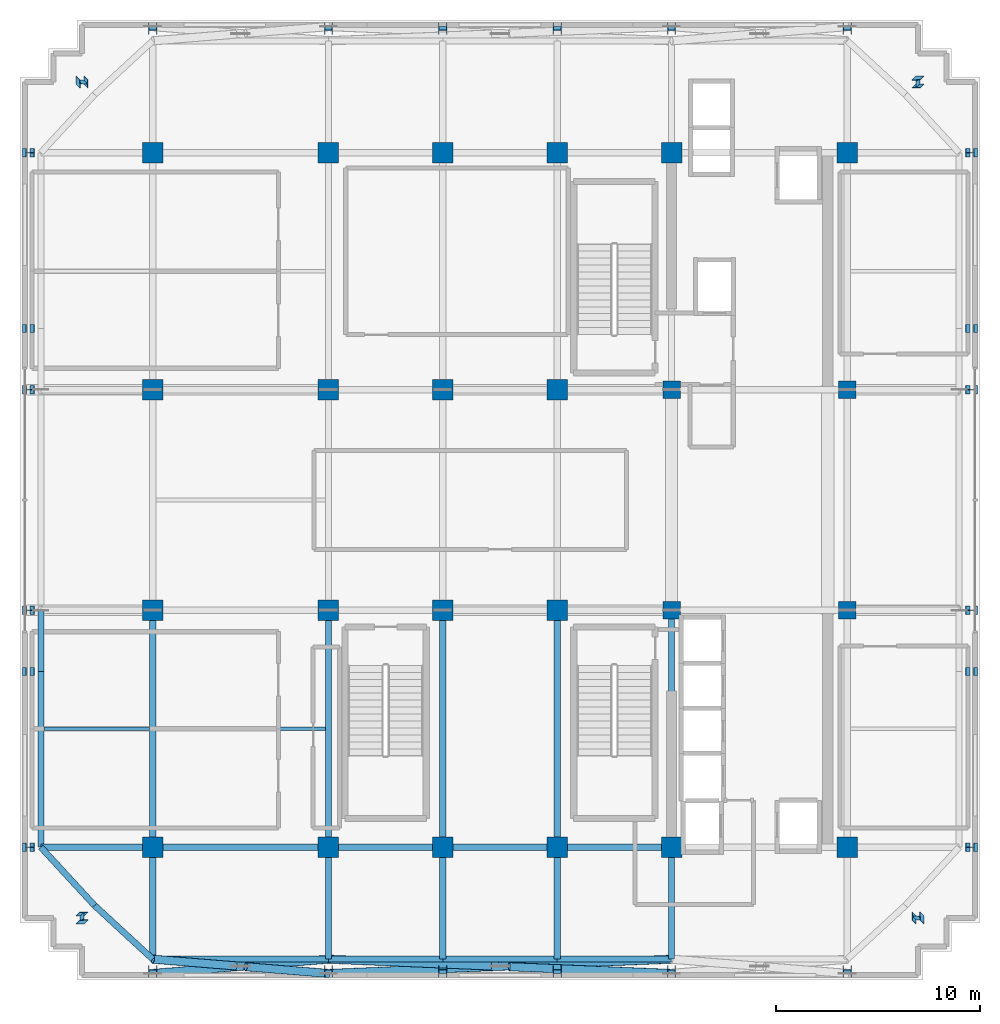
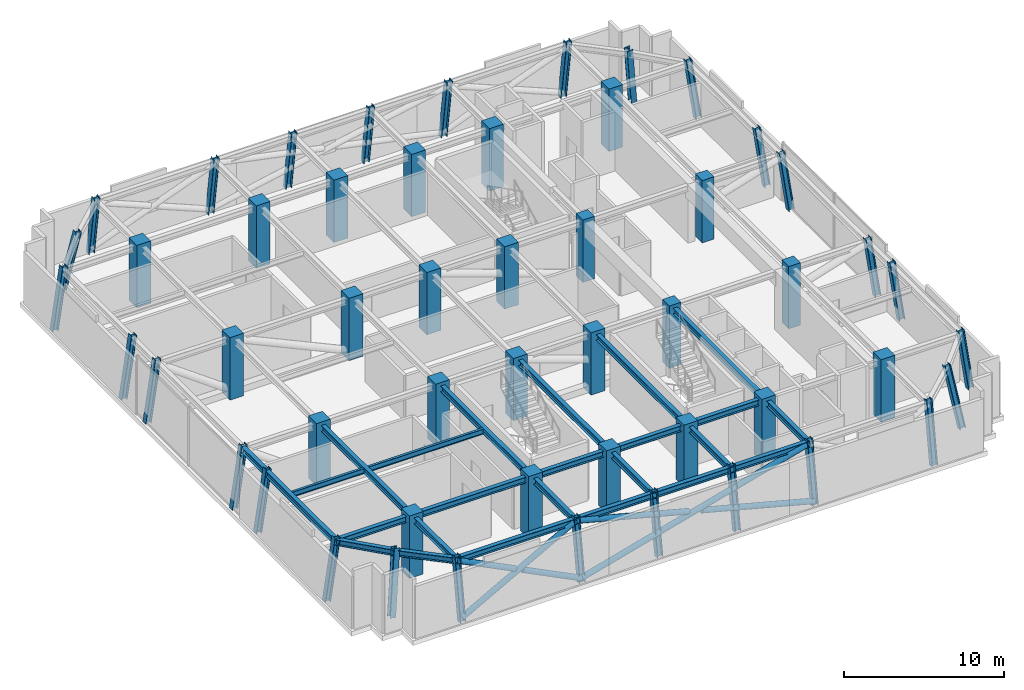
# One storey, part 1 of 15: 52 columns, 25 beams, 6 members.
"""IFC4 building model written with IfcOpenShell, lengths in metres."""

from ifc_helpers import new_model, si_unit, direction, frame, origin, origin_2d, place, context, subcontext, project, spatial, rectangle, hollow_circle, i_section, extrude, source, transform, mapped, material, material_profile, profile_set, type_object, element, save


model = new_model("IFC4")

# Units and contexts
model_context = context("Model", 3, precision=1e-05, world=origin(), true_north=direction((0.0, 1.0)))
body_context = subcontext(model_context, "Body", "Model", "MODEL_VIEW")
ifc_project = project(units=[si_unit("LENGTHUNIT", "METRE"), si_unit("AREAUNIT", "SQUARE_METRE"), si_unit("VOLUMEUNIT", "CUBIC_METRE"), si_unit("PLANEANGLEUNIT", "RADIAN"), si_unit("MASSUNIT", "GRAM", prefix="KILO")], contexts=[model_context])

# Site, building, storey
site_placement = place(None, origin())
site = spatial("IfcSite", under=ifc_project, at=site_placement, CompositionType="ELEMENT")
building_placement = place(site_placement, origin())
building = spatial("IfcBuilding", under=site, at=building_placement, Name="Nahalor Promenade Grand Hotel", CompositionType="ELEMENT")
storey_placement = place(building_placement, frame((0.0, 0.0, 261.5)))
storey = spatial("IfcBuildingStorey", under=building, at=storey_placement, Name="L67", CompositionType="ELEMENT", Elevation=261.5)

# Columns
ifc_material_1 = material(Name="Concrete B-70 (C60/75)", Category="concrete")
ifc_material_profile_1 = material_profile(ifc_material_1, rectangle(XDim=0.85, YDim=0.85, at=origin_2d()), Name="RC 850x850")
ifc_profile_set_1 = profile_set([ifc_material_profile_1], Name="Concrete B-70 (C60/75)")
column_type_1 = type_object("IfcColumnType", Name="Col-Pilaster-850", PredefinedType="PILASTER", material=ifc_profile_set_1)
shared_shape_1 = source(origin(), body_context, "Body", "SweptSolid", [
    extrude(rectangle(XDim=0.85, YDim=0.85, at=origin_2d()), origin(), (0.0, 0.0, 1.0), 4.7548828125),
])
for number, where, z_axis, x_axis, name in (
    (1, (8.39990234375, -5.39990234375, 0.0), (0.0, 0.0, 1.0), (1.0, 0.0, 0.0), "COL-L67-I41"),
    (2, (8.39990234375, 5.39990234375, 0.0), (0.0, 0.0, 1.0), (1.0, 0.0, 0.0), "COL-L67-I42"),
    (3, (17.0, -5.39990234375, 0.0), (0.0, 0.0, 1.0), (1.0, 0.0, 0.0), "COL-L67-I51"),
    (4, (17.0, 5.39990234375, 0.0), (0.0, 0.0, 1.0), (1.0, 0.0, 0.0), "COL-L67-I52"),
):
    element("IfcColumn", number, at=place(storey_placement, frame(where, z_axis=z_axis, x_axis=x_axis)), inside=storey, type_object=column_type_1, Name=name, PredefinedType="PILASTER", context=body_context, shape_type="MappedRepresentation", body=[
        mapped(shared_shape_1, transform((0.0, 0.0, 0.0), scale=1.0)),
    ])
ifc_material_2 = material(Name="Steel S355JR", Category="steel")
ifc_material_profile_2 = material_profile(ifc_material_2, i_section(OverallWidth=0.401, OverallDepth=0.406, WebThickness=0.0161, FlangeThickness=0.025, at=origin_2d()), Name="HD 400x314")
ifc_profile_set_2 = profile_set([ifc_material_profile_2], Name="Steel S355JR")
column_type_2 = type_object("IfcColumnType", Name="Col-Steel-HD314", PredefinedType="COLUMN", material=ifc_profile_set_2)
shared_shape_2 = source(origin(), body_context, "Body", "SweptSolid", [
    extrude(i_section(OverallWidth=0.401, OverallDepth=0.406, WebThickness=0.0161, FlangeThickness=0.025, at=origin_2d()), origin(), (0.0, 0.0, 1.0), 4.707275390625),
])
for number, where, z_axis, x_axis, name in (
    (5, (-23.179931640625, -17.0, 0.0), (0.148692963872, 0.0, 0.988883411983), (0.0, 1.0, 0.0), "COL-L67-PW-W0"),
    (6, (23.179931640625, -17.0, 0.0), (-0.148692963872, 0.0, 0.988883411983), (0.0, -1.0, 0.0), "COL-L67-PW-E0"),
    (7, (-23.179931640625, -8.39990234375, 0.0), (0.148692963872, 0.0, 0.988883411983), (0.0, 1.0, 0.0), "COL-L67-PW-W1"),
    (8, (23.179931640625, -8.39990234375, 0.0), (-0.148692963872, 0.0, 0.988883411983), (0.0, -1.0, 0.0), "COL-L67-PW-E1"),
    (9, (-23.179931640625, -5.39990234375, 0.0), (0.148692963872, 0.0, 0.988883411983), (0.0, 1.0, 0.0), "COL-L67-PW-W2"),
    (10, (23.179931640625, -5.39990234375, 0.0), (-0.148692963872, 0.0, 0.988883411983), (0.0, -1.0, 0.0), "COL-L67-PW-E2"),
    (11, (-23.179931640625, 5.39990234375, 0.0), (0.148692963872, 0.0, 0.988883411983), (0.0, 1.0, 0.0), "COL-L67-PW-W3"),
    (12, (23.179931640625, 5.39990234375, 0.0), (-0.148692963872, 0.0, 0.988883411983), (0.0, -1.0, 0.0), "COL-L67-PW-E3"),
    (13, (-23.179931640625, 8.39990234375, 0.0), (0.148692963872, 0.0, 0.988883411983), (0.0, 1.0, 0.0), "COL-L67-PW-W4"),
    (14, (23.179931640625, 8.39990234375, 0.0), (-0.148692963872, 0.0, 0.988883411983), (0.0, -1.0, 0.0), "COL-L67-PW-E4"),
    (15, (-23.179931640625, 17.0, 0.0), (0.148692963872, 0.0, 0.988883411983), (0.0, 1.0, 0.0), "COL-L67-PW-W5"),
    (16, (23.179931640625, 17.0, 0.0), (-0.148692963872, 0.0, 0.988883411983), (0.0, -1.0, 0.0), "COL-L67-PW-E5"),
    (17, (-17.0, -23.179931640625, 0.0), (0.0, 0.148692963872, 0.988883411983), (0.0, -0.988883411983, 0.148692963872), "COL-L67-PN-S0"),
    (18, (-17.0, 23.179931640625, 0.0), (0.0, -0.148692963872, 0.988883411983), (0.0, 0.988883411983, 0.148692963872), "COL-L67-PN-N0"),
    (19, (-8.39990234375, -23.179931640625, 0.0), (0.0, 0.148692963872, 0.988883411983), (0.0, -0.988883411983, 0.148692963872), "COL-L67-PN-S1"),
    (20, (-8.39990234375, 23.179931640625, 0.0), (0.0, -0.148692963872, 0.988883411983), (0.0, 0.988883411983, 0.148692963872), "COL-L67-PN-N1"),
    (21, (-2.800048828125, -23.179931640625, 0.0), (0.0, 0.148692963872, 0.988883411983), (0.0, -0.988883411983, 0.148692963872), "COL-L67-PN-S2"),
    (22, (-2.800048828125, 23.179931640625, 0.0), (0.0, -0.148692963872, 0.988883411983), (0.0, 0.988883411983, 0.148692963872), "COL-L67-PN-N2"),
    (23, (2.800048828125, -23.179931640625, 0.0), (0.0, 0.148692963872, 0.988883411983), (0.0, -0.988883411983, 0.148692963872), "COL-L67-PN-S3"),
    (24, (2.800048828125, 23.179931640625, 0.0), (0.0, -0.148692963872, 0.988883411983), (0.0, 0.988883411983, 0.148692963872), "COL-L67-PN-N3"),
    (25, (8.39990234375, -23.179931640625, 0.0), (0.0, 0.148692963872, 0.988883411983), (0.0, -0.988883411983, 0.148692963872), "COL-L67-PN-S4"),
    (26, (8.39990234375, 23.179931640625, 0.0), (0.0, -0.148692963872, 0.988883411983), (0.0, 0.988883411983, 0.148692963872), "COL-L67-PN-N4"),
    (27, (17.0, -23.179931640625, 0.0), (0.0, 0.148692963872, 0.988883411983), (0.0, -0.988883411983, 0.148692963872), "COL-L67-PN-S5"),
    (28, (17.0, 23.179931640625, 0.0), (0.0, -0.148692963872, 0.988883411983), (0.0, 0.988883411983, 0.148692963872), "COL-L67-PN-N5"),
):
    element("IfcColumn", number, at=place(storey_placement, frame(where, z_axis=z_axis, x_axis=x_axis)), inside=storey, type_object=column_type_2, Name=name, PredefinedType="COLUMN", context=body_context, shape_type="MappedRepresentation", body=[
        mapped(shared_shape_2, transform((0.0, 0.0, 0.0), scale=1.0)),
    ])
shared_shape_3 = source(origin(), body_context, "Body", "SweptSolid", [
    extrude(i_section(OverallWidth=0.401, OverallDepth=0.406, WebThickness=0.0161, FlangeThickness=0.025, at=origin_2d()), origin(), (0.0, 0.0, 1.0), 4.759033203125),
])
for number, where, z_axis, x_axis, name in (
    (29, (-20.550048828125, -20.550048828125, 0.0), (0.147075957733, 0.147075957733, 0.978129503345), (-0.989064751673, 0.010935248327, 0.147075957733), "COL-L67-CRN-SW"),
    (30, (-20.550048828125, 20.550048828125, 0.0), (0.147075957733, -0.147075957733, 0.978129503345), (0.010935248327, 0.989064751673, 0.147075957733), "COL-L67-CRN-NW"),
    (31, (20.550048828125, -20.550048828125, 0.0), (-0.147075957733, 0.147075957733, 0.978129503345), (-0.010935248327, -0.989064751673, 0.147075957733), "COL-L67-CRN-SE"),
    (32, (20.550048828125, 20.550048828125, 0.0), (-0.147075957733, -0.147075957733, 0.978129503345), (0.989064751673, -0.010935248327, 0.147075957733), "COL-L67-CRN-NE"),
):
    element("IfcColumn", number, at=place(storey_placement, frame(where, z_axis=z_axis, x_axis=x_axis)), inside=storey, type_object=column_type_2, Name=name, PredefinedType="COLUMN", context=body_context, shape_type="MappedRepresentation", body=[
        mapped(shared_shape_3, transform((0.0, 0.0, 0.0), scale=1.0)),
    ])
ifc_material_3 = material(Name="Concrete B-60 (C50/60)", Category="concrete")
ifc_material_profile_3 = material_profile(ifc_material_3, rectangle(XDim=1.0, YDim=1.0, at=origin_2d()), Name="RC 1000x1000")
ifc_profile_set_3 = profile_set([ifc_material_profile_3], Name="Concrete B-60 (C50/60)")
column_type_3 = type_object("IfcColumnType", Name="Col-RC-1000", PredefinedType="COLUMN", material=ifc_profile_set_3)
shared_shape_4 = source(origin(), body_context, "Body", "SweptSolid", [
    extrude(rectangle(XDim=1.0, YDim=1.0, at=origin_2d()), origin(), (0.0, 0.0, 1.0), 4.7548828125),
])
for number, where, z_axis, x_axis, name in (
    (33, (-17.0, -17.0, 0.0), (0.0, 0.0, 1.0), (1.0, 0.0, 0.0), "COL-L67-I00"),
    (34, (-17.0, -5.39990234375, 0.0), (0.0, 0.0, 1.0), (1.0, 0.0, 0.0), "COL-L67-I01"),
    (35, (-17.0, 5.39990234375, 0.0), (0.0, 0.0, 1.0), (1.0, 0.0, 0.0), "COL-L67-I02"),
    (36, (-17.0, 17.0, 0.0), (0.0, 0.0, 1.0), (1.0, 0.0, 0.0), "COL-L67-I03"),
    (37, (-8.39990234375, -17.0, 0.0), (0.0, 0.0, 1.0), (1.0, 0.0, 0.0), "COL-L67-I10"),
    (38, (-8.39990234375, -5.39990234375, 0.0), (0.0, 0.0, 1.0), (1.0, 0.0, 0.0), "COL-L67-I11"),
    (39, (-8.39990234375, 5.39990234375, 0.0), (0.0, 0.0, 1.0), (1.0, 0.0, 0.0), "COL-L67-I12"),
    (40, (-8.39990234375, 17.0, 0.0), (0.0, 0.0, 1.0), (1.0, 0.0, 0.0), "COL-L67-I13"),
    (41, (-2.800048828125, -17.0, 0.0), (0.0, 0.0, 1.0), (1.0, 0.0, 0.0), "COL-L67-I20"),
    (42, (-2.800048828125, -5.39990234375, 0.0), (0.0, 0.0, 1.0), (1.0, 0.0, 0.0), "COL-L67-I21"),
    (43, (-2.800048828125, 5.39990234375, 0.0), (0.0, 0.0, 1.0), (1.0, 0.0, 0.0), "COL-L67-I22"),
    (44, (-2.800048828125, 17.0, 0.0), (0.0, 0.0, 1.0), (1.0, 0.0, 0.0), "COL-L67-I23"),
    (45, (2.800048828125, -17.0, 0.0), (0.0, 0.0, 1.0), (1.0, 0.0, 0.0), "COL-L67-I30"),
    (46, (2.800048828125, -5.39990234375, 0.0), (0.0, 0.0, 1.0), (1.0, 0.0, 0.0), "COL-L67-I31"),
    (47, (2.800048828125, 5.39990234375, 0.0), (0.0, 0.0, 1.0), (1.0, 0.0, 0.0), "COL-L67-I32"),
    (48, (2.800048828125, 17.0, 0.0), (0.0, 0.0, 1.0), (1.0, 0.0, 0.0), "COL-L67-I33"),
    (49, (8.39990234375, -17.0, 0.0), (0.0, 0.0, 1.0), (1.0, 0.0, 0.0), "COL-L67-I40"),
    (50, (8.39990234375, 17.0, 0.0), (0.0, 0.0, 1.0), (1.0, 0.0, 0.0), "COL-L67-I43"),
    (51, (17.0, -17.0, 0.0), (0.0, 0.0, 1.0), (1.0, 0.0, 0.0), "COL-L67-I50"),
    (52, (17.0, 17.0, 0.0), (0.0, 0.0, 1.0), (1.0, 0.0, 0.0), "COL-L67-I53"),
):
    element("IfcColumn", number, at=place(storey_placement, frame(where, z_axis=z_axis, x_axis=x_axis)), inside=storey, type_object=column_type_3, Name=name, PredefinedType="COLUMN", context=body_context, shape_type="MappedRepresentation", body=[
        mapped(shared_shape_4, transform((0.0, 0.0, 0.0), scale=1.0)),
    ])

# Beams
ifc_material_profile_4 = material_profile(ifc_material_2, i_section(OverallWidth=0.3, OverallDepth=0.45, WebThickness=0.014, FlangeThickness=0.026, at=origin_2d()), Name="HEB 450")
ifc_profile_set_4 = profile_set([ifc_material_profile_4], Name="Steel S355JR")
beam_type_1 = type_object("IfcBeamType", Name="Beam-Spandrel-HEB450", PredefinedType="SPANDREL", material=ifc_profile_set_4)
shared_shape_5 = source(origin(), body_context, "Body", "SweptSolid", [
    extrude(i_section(OverallWidth=0.3, OverallDepth=0.45, WebThickness=0.014, FlangeThickness=0.026, at=origin_2d()), origin(), (0.0, 0.0, 1.0), 8.60009765625),
])
for number, where, z_axis, x_axis, name in (
    (53, (-17.0, -22.47998046875, 4.27490234375), (1.0, 0.0, 0.0), (0.0, 1.0, 0.0), "BM-L67-SP-S-0"),
    (54, (-22.47998046875, -17.0, 4.27490234375), (0.0, 1.0, 0.0), (-1.0, 0.0, 0.0), "BM-L67-SP-W-0"),
):
    element("IfcBeam", number, at=place(storey_placement, frame(where, z_axis=z_axis, x_axis=x_axis)), inside=storey, type_object=beam_type_1, Name=name, PredefinedType="SPANDREL", context=body_context, shape_type="MappedRepresentation", body=[
        mapped(shared_shape_5, transform((0.0, 0.0, 0.0), scale=1.0)),
    ])
shared_shape_6 = source(origin(), body_context, "Body", "SweptSolid", [
    extrude(i_section(OverallWidth=0.3, OverallDepth=0.45, WebThickness=0.014, FlangeThickness=0.026, at=origin_2d()), origin(), (0.0, 0.0, 1.0), 5.599853515625),
])
for number, where, z_axis, x_axis, name in (
    (55, (-8.39990234375, -22.47998046875, 4.27490234375), (1.0, 0.0, 0.0), (0.0, 1.0, 0.0), "BM-L67-SP-S-1"),
    (56, (2.800048828125, -22.47998046875, 4.27490234375), (1.0, 0.0, 0.0), (0.0, 1.0, 0.0), "BM-L67-SP-S-3"),
):
    element("IfcBeam", number, at=place(storey_placement, frame(where, z_axis=z_axis, x_axis=x_axis)), inside=storey, type_object=beam_type_1, Name=name, PredefinedType="SPANDREL", context=body_context, shape_type="MappedRepresentation", body=[
        mapped(shared_shape_6, transform((0.0, 0.0, 0.0), scale=1.0)),
    ])
shared_shape_7 = source(origin(), body_context, "Body", "SweptSolid", [
    extrude(i_section(OverallWidth=0.3, OverallDepth=0.45, WebThickness=0.014, FlangeThickness=0.026, at=origin_2d()), origin(), (0.0, 0.0, 1.0), 5.60009765625),
])
beam_1_placement = place(storey_placement, frame((-2.800048828125, -22.47998046875, 4.27490234375), z_axis=(1.0, 0.0, 0.0), x_axis=(0.0, 1.0, 0.0)))
element("IfcBeam", 57, at=beam_1_placement, inside=storey, type_object=beam_type_1, Name="BM-L67-SP-S-2", PredefinedType="SPANDREL", context=body_context, shape_type="MappedRepresentation", body=[
    mapped(shared_shape_7, transform((0.0, 0.0, 0.0), scale=1.0)),
])
shared_shape_8 = source(origin(), body_context, "Body", "SweptSolid", [
    extrude(i_section(OverallWidth=0.3, OverallDepth=0.45, WebThickness=0.014, FlangeThickness=0.026, at=origin_2d()), origin(), (0.0, 0.0, 1.0), 3.0),
])
beam_2_placement = place(storey_placement, frame((-22.47998046875, -8.39990234375, 4.27490234375), z_axis=(0.0, 1.0, 0.0), x_axis=(-1.0, 0.0, 0.0)))
element("IfcBeam", 58, at=beam_2_placement, inside=storey, type_object=beam_type_1, Name="BM-L67-SP-W-1", PredefinedType="SPANDREL", context=body_context, shape_type="MappedRepresentation", body=[
    mapped(shared_shape_8, transform((0.0, 0.0, 0.0), scale=1.0)),
])
shared_shape_9 = source(origin(), body_context, "Body", "SweptSolid", [
    extrude(i_section(OverallWidth=0.3, OverallDepth=0.45, WebThickness=0.014, FlangeThickness=0.026, at=origin_2d()), origin(), (0.0, 0.0, 1.0), 3.878173828125),
])
for number, where, z_axis, x_axis, name in (
    (59, (-17.0, -22.47998046875, 4.27490234375), (-0.73492893846, 0.678144125843, 0.0), (-0.678144125843, -0.73492893846, 0.0), "BM-L67-SPC-SW-1"),
    (60, (-19.85009765625, -19.85009765625, 4.27490234375), (-0.678144125843, 0.73492893846, 0.0), (-0.73492893846, -0.678144125843, 0.0), "BM-L67-SPC-SW-2"),
):
    element("IfcBeam", number, at=place(storey_placement, frame(where, z_axis=z_axis, x_axis=x_axis)), inside=storey, type_object=beam_type_1, Name=name, PredefinedType="SPANDREL", context=body_context, shape_type="MappedRepresentation", body=[
        mapped(shared_shape_9, transform((0.0, 0.0, 0.0), scale=1.0)),
    ])
ifc_material_profile_5 = material_profile(ifc_material_2, i_section(OverallWidth=0.3, OverallDepth=0.45, WebThickness=0.014, FlangeThickness=0.026, at=origin_2d()), Name="HEB 450")
ifc_profile_set_5 = profile_set([ifc_material_profile_5], Name="Steel S355JR")
beam_type_2 = type_object("IfcBeamType", Name="Beam-Girder-HEB450", PredefinedType="BEAM", material=ifc_profile_set_5)
shared_shape_10 = source(origin(), body_context, "Body", "SweptSolid", [
    extrude(i_section(OverallWidth=0.3, OverallDepth=0.45, WebThickness=0.014, FlangeThickness=0.026, at=origin_2d()), origin(), (0.0, 0.0, 1.0), 8.60009765625),
])
beam_3_placement = place(storey_placement, frame((-17.0, -17.0, 4.27490234375), z_axis=(1.0, 0.0, 0.0), x_axis=(0.0, 1.0, 0.0)))
element("IfcBeam", 61, at=beam_3_placement, inside=storey, type_object=beam_type_2, Name="BM-L67-GX-0-1", PredefinedType="BEAM", context=body_context, shape_type="MappedRepresentation", body=[
    mapped(shared_shape_10, transform((0.0, 0.0, 0.0), scale=1.0)),
])
shared_shape_11 = source(origin(), body_context, "Body", "SweptSolid", [
    extrude(i_section(OverallWidth=0.3, OverallDepth=0.45, WebThickness=0.014, FlangeThickness=0.026, at=origin_2d()), origin(), (0.0, 0.0, 1.0), 5.599853515625),
])
for number, where, z_axis, x_axis, name in (
    (62, (-8.39990234375, -17.0, 4.27490234375), (1.0, 0.0, 0.0), (0.0, 1.0, 0.0), "BM-L67-GX-0-2"),
    (63, (2.800048828125, -17.0, 4.27490234375), (1.0, 0.0, 0.0), (0.0, 1.0, 0.0), "BM-L67-GX-0-4"),
):
    element("IfcBeam", number, at=place(storey_placement, frame(where, z_axis=z_axis, x_axis=x_axis)), inside=storey, type_object=beam_type_2, Name=name, PredefinedType="BEAM", context=body_context, shape_type="MappedRepresentation", body=[
        mapped(shared_shape_11, transform((0.0, 0.0, 0.0), scale=1.0)),
    ])
shared_shape_12 = source(origin(), body_context, "Body", "SweptSolid", [
    extrude(i_section(OverallWidth=0.3, OverallDepth=0.45, WebThickness=0.014, FlangeThickness=0.026, at=origin_2d()), origin(), (0.0, 0.0, 1.0), 5.60009765625),
])
beam_4_placement = place(storey_placement, frame((-2.800048828125, -17.0, 4.27490234375), z_axis=(1.0, 0.0, 0.0), x_axis=(0.0, 1.0, 0.0)))
element("IfcBeam", 64, at=beam_4_placement, inside=storey, type_object=beam_type_2, Name="BM-L67-GX-0-3", PredefinedType="BEAM", context=body_context, shape_type="MappedRepresentation", body=[
    mapped(shared_shape_12, transform((0.0, 0.0, 0.0), scale=1.0)),
])
shared_shape_13 = source(origin(), body_context, "Body", "SweptSolid", [
    extrude(i_section(OverallWidth=0.3, OverallDepth=0.45, WebThickness=0.014, FlangeThickness=0.026, at=origin_2d()), origin(), (0.0, 0.0, 1.0), 11.60009765625),
])
for number, where, z_axis, x_axis, name in (
    (65, (-17.0, -17.0, 4.27490234375), (0.0, 1.0, 0.0), (-1.0, 0.0, 0.0), "BM-L67-GY-0-1"),
    (66, (-8.39990234375, -17.0, 4.27490234375), (0.0, 1.0, 0.0), (-1.0, 0.0, 0.0), "BM-L67-GY-1-1"),
    (67, (-2.800048828125, -17.0, 4.27490234375), (0.0, 1.0, 0.0), (-1.0, 0.0, 0.0), "BM-L67-GY-2-1"),
    (68, (2.800048828125, -17.0, 4.27490234375), (0.0, 1.0, 0.0), (-1.0, 0.0, 0.0), "BM-L67-GY-3-1"),
    (69, (8.39990234375, -17.0, 4.27490234375), (0.0, 1.0, 0.0), (-1.0, 0.0, 0.0), "BM-L67-GY-4-1"),
):
    element("IfcBeam", number, at=place(storey_placement, frame(where, z_axis=z_axis, x_axis=x_axis)), inside=storey, type_object=beam_type_2, Name=name, PredefinedType="BEAM", context=body_context, shape_type="MappedRepresentation", body=[
        mapped(shared_shape_13, transform((0.0, 0.0, 0.0), scale=1.0)),
    ])
ifc_material_profile_6 = material_profile(ifc_material_2, i_section(OverallWidth=0.18, OverallDepth=0.4, WebThickness=0.0086, FlangeThickness=0.0135, at=origin_2d()), Name="IPE 400")
ifc_profile_set_6 = profile_set([ifc_material_profile_6], Name="Steel S355JR")
beam_type_3 = type_object("IfcBeamType", Name="Beam-Joist-IPE400", PredefinedType="JOIST", material=ifc_profile_set_6)
shared_shape_14 = source(origin(), body_context, "Body", "SweptSolid", [
    extrude(i_section(OverallWidth=0.18, OverallDepth=0.4, WebThickness=0.0086, FlangeThickness=0.0135, at=origin_2d()), origin(), (0.0, 0.0, 1.0), 8.300048828125),
])
beam_5_placement = place(storey_placement, frame((-16.85009765625, -11.199951171875, 4.300048828125), z_axis=(1.0, 0.0, 0.0), x_axis=(0.0, 1.0, 0.0)))
element("IfcBeam", 70, at=beam_5_placement, inside=storey, type_object=beam_type_3, Name="BM-L67-JSW-0-1", PredefinedType="JOIST", context=body_context, shape_type="MappedRepresentation", body=[
    mapped(shared_shape_14, transform((0.0, 0.0, 0.0), scale=1.0)),
])
shared_shape_15 = source(origin(), body_context, "Body", "SweptSolid", [
    extrude(i_section(OverallWidth=0.3, OverallDepth=0.45, WebThickness=0.014, FlangeThickness=0.026, at=origin_2d()), origin(), (0.0, 0.0, 1.0), 5.47998046875),
])
for number, where, z_axis, x_axis, name in (
    (71, (-22.47998046875, -17.0, 4.27490234375), (1.0, 0.0, 0.0), (0.0, 1.0, 0.0), "BM-L67-GX-0-0"),
    (72, (-17.0, -22.47998046875, 4.27490234375), (0.0, 1.0, 0.0), (-1.0, 0.0, 0.0), "BM-L67-GY-0-0"),
    (73, (-8.39990234375, -22.47998046875, 4.27490234375), (0.0, 1.0, 0.0), (-1.0, 0.0, 0.0), "BM-L67-GY-1-0"),
    (74, (-2.800048828125, -22.47998046875, 4.27490234375), (0.0, 1.0, 0.0), (-1.0, 0.0, 0.0), "BM-L67-GY-2-0"),
    (75, (2.800048828125, -22.47998046875, 4.27490234375), (0.0, 1.0, 0.0), (-1.0, 0.0, 0.0), "BM-L67-GY-3-0"),
    (76, (8.39990234375, -22.47998046875, 4.27490234375), (0.0, 1.0, 0.0), (-1.0, 0.0, 0.0), "BM-L67-GY-4-0"),
):
    element("IfcBeam", number, at=place(storey_placement, frame(where, z_axis=z_axis, x_axis=x_axis)), inside=storey, type_object=beam_type_2, Name=name, PredefinedType="BEAM", context=body_context, shape_type="MappedRepresentation", body=[
        mapped(shared_shape_15, transform((0.0, 0.0, 0.0), scale=1.0)),
    ])
shared_shape_16 = source(origin(), body_context, "Body", "SweptSolid", [
    extrude(i_section(OverallWidth=0.18, OverallDepth=0.4, WebThickness=0.0086, FlangeThickness=0.0135, at=origin_2d()), origin(), (0.0, 0.0, 1.0), 5.18017578125),
])
beam_6_placement = place(storey_placement, frame((-22.330078125, -11.199951171875, 4.300048828125), z_axis=(1.0, 0.0, 0.0), x_axis=(0.0, 1.0, 0.0)))
element("IfcBeam", 77, at=beam_6_placement, inside=storey, type_object=beam_type_3, Name="BM-L67-JSW-0-0", PredefinedType="JOIST", context=body_context, shape_type="MappedRepresentation", body=[
    mapped(shared_shape_16, transform((0.0, 0.0, 0.0), scale=1.0)),
])

# Members
ifc_material_4 = material(Name="Steel S355J2", Category="steel")
ifc_material_profile_7 = material_profile(ifc_material_4, hollow_circle(Radius=0.2032, WallThickness=0.02, at=origin_2d()), Name="CHS 406.4x20")
ifc_profile_set_7 = profile_set([ifc_material_profile_7], Name="Steel S355J2")
member_type = type_object("IfcMemberType", Name="Mem-BeltDiag-CHS406", PredefinedType="BRACE", material=ifc_profile_set_7)
shared_shape_17 = source(origin(), body_context, "Body", "SweptSolid", [
    extrude(hollow_circle(Radius=0.2032, WallThickness=0.02, at=origin_2d()), origin(), (0.0, 0.0, 1.0), 9.48974609375),
])
member_1_placement = place(storey_placement, frame((-17.0, -23.179931640625, 0.300048828125), z_axis=(0.906259433855, 0.073759319731, 0.41623719356), x_axis=(-0.081120514078, 0.99670430028, 0.0)))
element("IfcMember", 78, at=member_1_placement, inside=storey, type_object=member_type, Name="BT-L67-S-D1-0", PredefinedType="BRACE", context=body_context, shape_type="MappedRepresentation", body=[
    mapped(shared_shape_17, transform((0.0, 0.0, 0.0), scale=1.0)),
])
shared_shape_18 = source(origin(), body_context, "Body", "SweptSolid", [
    extrude(hollow_circle(Radius=0.2032, WallThickness=0.02, at=origin_2d()), origin(), (0.0, 0.0, 1.0), 4.466552734375),
])
for number, where, z_axis, x_axis, name in (
    (79, (-8.39990234375, -23.179931640625, 0.300048828125), (-0.906262059154, 0.073736279722, 0.416235559738), (-0.081095107965, -0.996706367725, 0.0), "BT-L67-S-D2-0A"),
    (80, (-12.9521484375, -22.8095703125, 2.390869140625), (-0.906258405204, 0.073790642161, 0.416233881522), (-0.081154827167, -0.996701506986, 0.0), "BT-L67-S-D2-0B"),
):
    element("IfcMember", number, at=place(storey_placement, frame(where, z_axis=z_axis, x_axis=x_axis)), inside=storey, type_object=member_type, Name=name, PredefinedType="BRACE", context=body_context, shape_type="MappedRepresentation", body=[
        mapped(shared_shape_18, transform((0.0, 0.0, 0.0), scale=1.0)),
    ])
shared_shape_19 = source(origin(), body_context, "Body", "SweptSolid", [
    extrude(hollow_circle(Radius=0.2032, WallThickness=0.02, at=origin_2d()), origin(), (0.0, 0.0, 1.0), 17.272216796875),
])
member_2_placement = place(storey_placement, frame((-8.39990234375, -23.179931640625, 0.300048828125), z_axis=(0.972655520728, 0.040524957535, 0.228689671421), x_axis=(-0.041628128947, 0.999133173746, 0.0)))
element("IfcMember", 81, at=member_2_placement, inside=storey, type_object=member_type, Name="BT-L67-S-D1-1", PredefinedType="BRACE", context=body_context, shape_type="MappedRepresentation", body=[
    mapped(shared_shape_19, transform((0.0, 0.0, 0.0), scale=1.0)),
])
shared_shape_20 = source(origin(), body_context, "Body", "SweptSolid", [
    extrude(hollow_circle(Radius=0.2032, WallThickness=0.02, at=origin_2d()), origin(), (0.0, 0.0, 1.0), 8.172607421875),
])
for number, where, z_axis, x_axis, name in (
    (82, (8.39990234375, -23.179931640625, 0.300048828125), (-0.972659339385, 0.040507557254, 0.228676512377), (-0.041610122871, -0.999133923793, 0.0), "BT-L67-S-D2-1A"),
    (83, (-0.45068359375, -22.811279296875, 2.381103515625), (-0.972658161962, 0.040537381013, 0.22867623556), (-0.041640755613, -0.999132647586, 0.0), "BT-L67-S-D2-1B"),
):
    element("IfcMember", number, at=place(storey_placement, frame(where, z_axis=z_axis, x_axis=x_axis)), inside=storey, type_object=member_type, Name=name, PredefinedType="BRACE", context=body_context, shape_type="MappedRepresentation", body=[
        mapped(shared_shape_20, transform((0.0, 0.0, 0.0), scale=1.0)),
    ])

save(model, "model.ifc")
